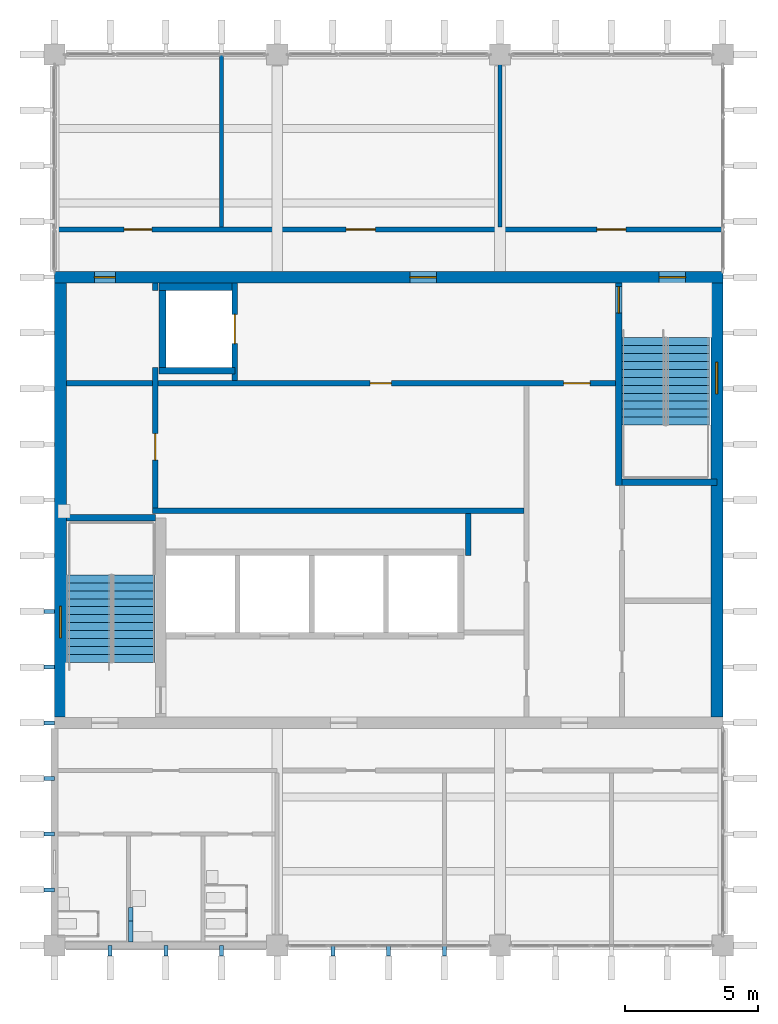
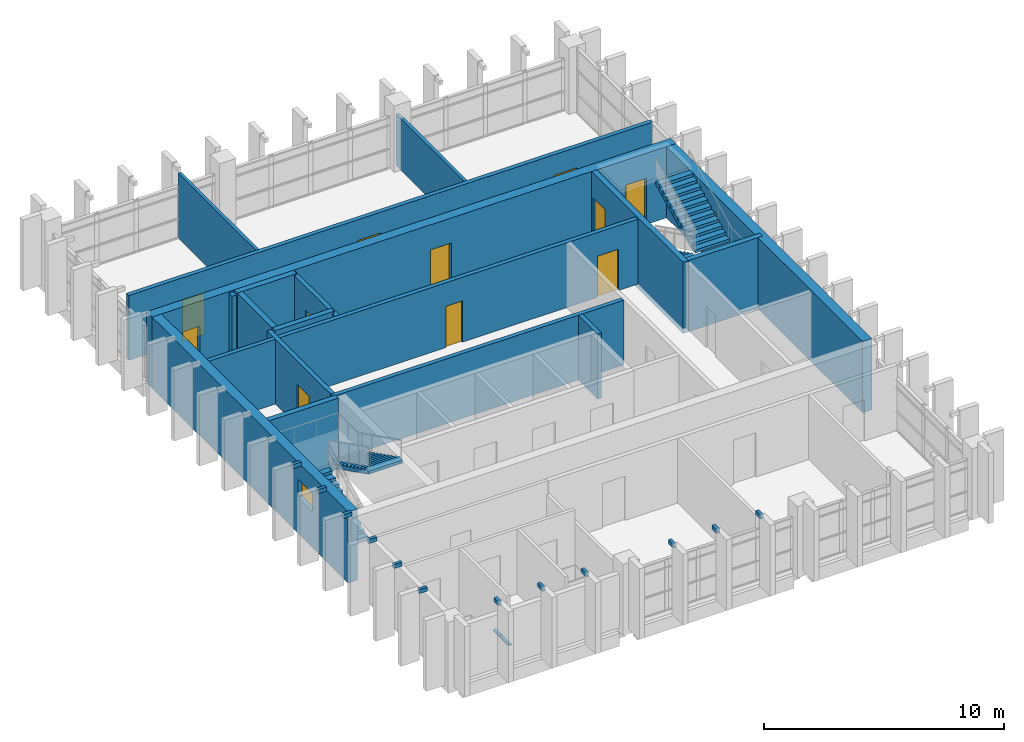
# One storey, part 8 of 11: 18 walls, 14 discrete accessories, 11 doors, 4 stair flights, 2 windows, 13 openings, 2 elements without a shape of their own.
"""IFC4 building model written with IfcOpenShell, lengths in metres."""

from ifc_helpers import new_model, si_unit, direction, frame, frame_2d, origin, origin_2d, place, context, subcontext, project, spatial, polyline, rectangle, outline, extrude, material, layer, layer_set, type_object, element, fill, aggregate, save


model = new_model("IFC4")

# Units and contexts
model_context = context("Model", 3, precision=1e-05, world=origin(), true_north=direction((0.0, 1.0)))
body_context = subcontext(model_context, "Body", "Model", "MODEL_VIEW")
ifc_project = project(units=[si_unit("LENGTHUNIT", "METRE"), si_unit("AREAUNIT", "SQUARE_METRE"), si_unit("VOLUMEUNIT", "CUBIC_METRE"), si_unit("PLANEANGLEUNIT", "RADIAN"), si_unit("MASSUNIT", "GRAM", prefix="KILO")], contexts=[model_context])

# Site, building, storey
site_placement = place(None, origin())
site = spatial("IfcSite", under=ifc_project, at=site_placement, CompositionType="ELEMENT")
building_placement = place(site_placement, origin())
building = spatial("IfcBuilding", under=site, at=building_placement, Name="Rulbaag Community and Learning Centre", CompositionType="ELEMENT")
storey_placement = place(building_placement, frame((0.0, 0.0, 36.0)))
storey = spatial("IfcBuildingStorey", under=building, at=storey_placement, Name="L09", CompositionType="ELEMENT", Elevation=36.0)

# Wall
ifc_material_1 = material(Name="Concrete blockwork", Category="masonry")
ifc_layer_1 = layer(ifc_material_1, 0.199951171875)
ifc_layer_set_1 = layer_set([ifc_layer_1], Name="FW-200 FIRE WALL 200")
wall_type_1 = type_object("IfcWallType", Name="FW-200 FIRE WALL 200", PredefinedType="SOLIDWALL", material=ifc_layer_set_1)
wall_1_placement = place(storey_placement, frame((146.5, 100.39990234375, 0.0), z_axis=(0.0, 0.0, 1.0), x_axis=(1.0, 0.0, 0.0)))
element("IfcWall", 1, at=wall_1_placement, inside=storey, type_object=wall_type_1, Name="Fire wall L09 8", PredefinedType="SOLIDWALL", context=body_context, shape_type="SweptSolid", body=[
    extrude(rectangle(XDim=14.0, YDim=0.199951171875, at=frame_2d((7.0, 0.0))), origin(), (0.0, 0.0, 1.0), 3.300048828125),
])

# Wall, openings, doors
wall_2_placement = place(storey_placement, frame((143.25, 105.199951171875, 0.0), z_axis=(0.0, 0.0, 1.0), x_axis=(1.0, 0.0, 0.0)))
wall_2 = element("IfcWall", 2, at=wall_2_placement, inside=storey, type_object=wall_type_1, Name="Fire wall L09 9", PredefinedType="SOLIDWALL", context=body_context, shape_type="SweptSolid", body=[
    extrude(rectangle(XDim=20.699951171875, YDim=0.199951171875, at=frame_2d((10.35009765625, 0.0))), origin(), (0.0, 0.0, 1.0), 3.300048828125),
])
opening_1_placement = place(wall_2_placement, frame((11.449951171875, 0.0, 0.0)))
opening_1 = element("IfcOpeningElement", 3, at=opening_1_placement, cuts=wall_2, Name="Opening L09-D020", PredefinedType="OPENING", context=body_context, shape_type="SweptSolid", body=[
    extrude(rectangle(XDim=0.800048828125, YDim=2.10009765625, at=frame_2d((0.39990234375, 1.050048828125))), frame((0.0, 0.10986328125, 0.0), z_axis=(0.0, -1.0, 0.0), x_axis=(1.0, 0.0, 0.0)), (0.0, 0.0, 1.0), 0.219970703125),
])
opening_2_placement = place(wall_2_placement, frame((18.75, 0.0, 0.0)))
opening_2 = element("IfcOpeningElement", 4, at=opening_2_placement, cuts=wall_2, Name="Opening L09-D027", PredefinedType="OPENING", context=body_context, shape_type="SweptSolid", body=[
    extrude(rectangle(XDim=1.0, YDim=2.10009765625, at=frame_2d((0.5, 1.050048828125))), frame((0.0, 0.10986328125, 0.0), z_axis=(0.0, -1.0, 0.0), x_axis=(1.0, 0.0, 0.0)), (0.0, 0.0, 1.0), 0.219970703125),
])
ifc_material_2 = material(Name="Galvanised steel", Category="steel")
door_type_1 = type_object("IfcDoorType", Name="FD-1000 FIRE DOOR 1000 x 2100", OperationType="SINGLE_SWING_LEFT", PredefinedType="DOOR", material=ifc_material_2)
door_1_placement = place(opening_2_placement, origin())
door_1 = element("IfcDoor", 5, at=door_1_placement, inside=storey, type_object=door_type_1, Name="Door L09-D027", OperationType="SINGLE_SWING_LEFT", OverallHeight=2.10009765625, OverallWidth=1.0, PredefinedType="DOOR", context=body_context, shape_type="SweptSolid", body=[
    extrude(rectangle(XDim=1.0, YDim=2.10009765625, at=frame_2d((0.5, 1.050048828125))), frame((0.0, 0.02490234375, 0.0), z_axis=(0.0, -1.0, 0.0), x_axis=(1.0, 0.0, 0.0)), (0.0, 0.0, 1.0), 0.050048828125),
])
fill(opening_2, door_1)
door_type_2 = type_object("IfcDoorType", Name="FDR-800 RISER FIRE DOOR 800 x 2100", OperationType="SINGLE_SWING_LEFT", PredefinedType="DOOR", material=ifc_material_2)
door_2_placement = place(opening_1_placement, origin())
door_2 = element("IfcDoor", 6, at=door_2_placement, inside=storey, type_object=door_type_2, Name="Riser door L09-D022", OperationType="SINGLE_SWING_RIGHT", OverallHeight=2.10009765625, OverallWidth=0.800048828125, PredefinedType="DOOR", context=body_context, shape_type="SweptSolid", body=[
    extrude(rectangle(XDim=0.800048828125, YDim=2.10009765625, at=frame_2d((0.39990234375, 1.050048828125))), frame((0.0, 0.02490234375, 0.0), z_axis=(0.0, -1.0, 0.0), x_axis=(1.0, 0.0, 0.0)), (0.0, 0.0, 1.0), 0.050048828125),
])
fill(opening_1, door_2)

wall_3_placement = place(storey_placement, frame((142.800048828125, 111.0, 0.0), z_axis=(0.0, 0.0, 1.0), x_axis=(1.0, 0.0, 0.0)))
wall_3 = element("IfcWall", 7, at=wall_3_placement, inside=storey, type_object=wall_type_1, Name="Fire wall L09 10", PredefinedType="SOLIDWALL", context=body_context, shape_type="SweptSolid", body=[
    extrude(rectangle(XDim=25.199951171875, YDim=0.199951171875, at=frame_2d((12.60009765625, 0.0))), origin(), (0.0, 0.0, 1.0), 3.300048828125),
])
opening_3_placement = place(wall_3_placement, frame((2.625, 0.0, 0.0)))
opening_3 = element("IfcOpeningElement", 8, at=opening_3_placement, cuts=wall_3, Name="Opening L09-D005", PredefinedType="OPENING", context=body_context, shape_type="SweptSolid", body=[
    extrude(rectangle(XDim=1.050048828125, YDim=2.10009765625, at=frame_2d((0.52490234375, 1.050048828125))), frame((0.0, 0.10986328125, 0.0), z_axis=(0.0, -1.0, 0.0), x_axis=(1.0, 0.0, 0.0)), (0.0, 0.0, 1.0), 0.219970703125),
])
opening_4_placement = place(wall_3_placement, frame((11.0, 0.0, 0.0)))
opening_4 = element("IfcOpeningElement", 9, at=opening_4_placement, cuts=wall_3, Name="Opening L09-D019", PredefinedType="OPENING", context=body_context, shape_type="SweptSolid", body=[
    extrude(rectangle(XDim=1.10009765625, YDim=2.25, at=frame_2d((0.550048828125, 1.125))), frame((0.0, 0.10986328125, 0.0), z_axis=(0.0, -1.0, 0.0), x_axis=(1.0, 0.0, 0.0)), (0.0, 0.0, 1.0), 0.219970703125),
])
opening_5_placement = place(wall_3_placement, frame((20.449951171875, 0.0, 0.0)))
opening_5 = element("IfcOpeningElement", 10, at=opening_5_placement, cuts=wall_3, Name="Opening L09-D028", PredefinedType="OPENING", context=body_context, shape_type="SweptSolid", body=[
    extrude(rectangle(XDim=1.10009765625, YDim=2.25, at=frame_2d((0.550048828125, 1.125))), frame((0.0, 0.10986328125, 0.0), z_axis=(0.0, -1.0, 0.0), x_axis=(1.0, 0.0, 0.0)), (0.0, 0.0, 1.0), 0.219970703125),
])
ifc_material_3 = material(Name="Timber", Category="wood")
door_type_3 = type_object("IfcDoorType", Name="D-1100 OFFICE SUITE ENTRANCE DOOR 1100 x 2250", OperationType="SINGLE_SWING_LEFT", PredefinedType="DOOR", material=ifc_material_3)
door_3_placement = place(opening_4_placement, origin())
door_3 = element("IfcDoor", 11, at=door_3_placement, inside=storey, type_object=door_type_3, Name="Door L09-D019", OperationType="SINGLE_SWING_RIGHT", OverallHeight=2.25, OverallWidth=1.10009765625, PredefinedType="DOOR", context=body_context, shape_type="SweptSolid", body=[
    extrude(rectangle(XDim=1.10009765625, YDim=2.25, at=frame_2d((0.550048828125, 1.125))), frame((0.0, 0.02490234375, 0.0), z_axis=(0.0, -1.0, 0.0), x_axis=(1.0, 0.0, 0.0)), (0.0, 0.0, 1.0), 0.050048828125),
])
fill(opening_4, door_3)
door_4_placement = place(opening_5_placement, origin())
door_4 = element("IfcDoor", 12, at=door_4_placement, inside=storey, type_object=door_type_3, Name="Door L09-D028", OperationType="SINGLE_SWING_LEFT", OverallHeight=2.25, OverallWidth=1.10009765625, PredefinedType="DOOR", context=body_context, shape_type="SweptSolid", body=[
    extrude(rectangle(XDim=1.10009765625, YDim=2.25, at=frame_2d((0.550048828125, 1.125))), frame((0.0, 0.02490234375, 0.0), z_axis=(0.0, -1.0, 0.0), x_axis=(1.0, 0.0, 0.0)), (0.0, 0.0, 1.0), 0.050048828125),
])
fill(opening_5, door_4)
door_type_4 = type_object("IfcDoorType", Name="FD-1050 GLAZED MEETING ROOM FIRE DOOR 1050 x 2100", OperationType="SINGLE_SWING_LEFT", PredefinedType="DOOR", material=ifc_material_3)
door_5_placement = place(opening_3_placement, origin())
door_5 = element("IfcDoor", 13, at=door_5_placement, inside=storey, type_object=door_type_4, Name="Door L09-D005", OperationType="SINGLE_SWING_RIGHT", OverallHeight=2.10009765625, OverallWidth=1.050048828125, PredefinedType="DOOR", context=body_context, shape_type="SweptSolid", body=[
    extrude(rectangle(XDim=1.050048828125, YDim=2.10009765625, at=frame_2d((0.52490234375, 1.050048828125))), frame((0.0, 0.02490234375, 0.0), z_axis=(0.0, -1.0, 0.0), x_axis=(1.0, 0.0, 0.0)), (0.0, 0.0, 1.0), 0.050048828125),
])
fill(opening_3, door_5)

# Wall, opening, door
wall_4_placement = place(storey_placement, frame((146.60009765625, 100.5, 0.0), z_axis=(0.0, 0.0, 1.0), x_axis=(0.0, 1.0, 0.0)))
wall_4 = element("IfcWall", 14, at=wall_4_placement, inside=storey, type_object=wall_type_1, Name="Fire wall L09 12", PredefinedType="SOLIDWALL", context=body_context, shape_type="SweptSolid", body=[
    extrude(rectangle(XDim=5.300048828125, YDim=0.199951171875, at=frame_2d((2.64990234375, 0.0))), origin(), (0.0, 0.0, 1.0), 3.300048828125),
])
opening_6_placement = place(wall_4_placement, frame((1.800048828125, 0.0, 0.0)))
opening_6 = element("IfcOpeningElement", 15, at=opening_6_placement, cuts=wall_4, Name="Opening L09-D006", PredefinedType="OPENING", context=body_context, shape_type="SweptSolid", body=[
    extrude(rectangle(XDim=1.0, YDim=2.10009765625, at=frame_2d((0.5, 1.050048828125))), frame((0.0, 0.10986328125, 0.0), z_axis=(0.0, -1.0, 0.0), x_axis=(1.0, 0.0, 0.0)), (0.0, 0.0, 1.0), 0.219970703125),
])
door_6_placement = place(opening_6_placement, origin())
door_6 = element("IfcDoor", 16, at=door_6_placement, inside=storey, type_object=door_type_1, Name="Door L09-D006", OperationType="SINGLE_SWING_LEFT", OverallHeight=2.10009765625, OverallWidth=1.0, PredefinedType="DOOR", context=body_context, shape_type="SweptSolid", body=[
    extrude(rectangle(XDim=1.0, YDim=2.10009765625, at=frame_2d((0.5, 1.050048828125))), frame((0.0, 0.02490234375, 0.0), z_axis=(0.0, -1.0, 0.0), x_axis=(1.0, 0.0, 0.0)), (0.0, 0.0, 1.0), 0.050048828125),
])
fill(opening_6, door_6)

# Wall
wall_5_placement = place(storey_placement, frame((146.60009765625, 108.699951171875, 0.0), z_axis=(0.0, 0.0, 1.0), x_axis=(0.0, 1.0, 0.0)))
element("IfcWall", 17, at=wall_5_placement, inside=storey, type_object=wall_type_1, Name="Fire wall L09 13", PredefinedType="SOLIDWALL", context=body_context, shape_type="SweptSolid", body=[
    extrude(rectangle(XDim=0.275146484375, YDim=0.199951171875, at=frame_2d((0.1376953125, 0.0))), origin(), (0.0, 0.0, 1.0), 3.300048828125),
])

# Wall, opening, door
wall_6_placement = place(storey_placement, frame((149.60009765625, 105.300048828125, 0.0), z_axis=(0.0, 0.0, 1.0), x_axis=(0.0, 1.0, 0.0)))
wall_6 = element("IfcWall", 18, at=wall_6_placement, inside=storey, type_object=wall_type_1, Name="Fire wall L09 16", PredefinedType="SOLIDWALL", context=body_context, shape_type="SweptSolid", body=[
    extrude(rectangle(XDim=3.675048828125, YDim=0.199951171875, at=frame_2d((1.83740234375, 0.0))), origin(), (0.0, 0.0, 1.0), 3.300048828125),
])
opening_7_placement = place(wall_6_placement, frame((1.39990234375, 0.0, 0.0)))
opening_7 = element("IfcOpeningElement", 19, at=opening_7_placement, cuts=wall_6, Name="Opening L09-D011", PredefinedType="OPENING", context=body_context, shape_type="SweptSolid", body=[
    extrude(rectangle(XDim=1.10009765625, YDim=2.10009765625, at=frame_2d((0.550048828125, 1.050048828125))), frame((0.0, 0.10986328125, 0.0), z_axis=(0.0, -1.0, 0.0), x_axis=(1.0, 0.0, 0.0)), (0.0, 0.0, 1.0), 0.219970703125),
])
ifc_material_4 = material(Name="Stainless steel grade 304", Category="steel")
door_type_5 = type_object("IfcDoorType", Name="LD-1100 LIFT LANDING DOOR 1100 x 2100", OperationType="SLIDING_TO_LEFT", PredefinedType="DOOR", material=ifc_material_4)
door_7_placement = place(opening_7_placement, origin())
door_7 = element("IfcDoor", 20, at=door_7_placement, inside=storey, type_object=door_type_5, Name="Lift landing door LF1 L09", OperationType="SLIDING_TO_LEFT", OverallHeight=2.10009765625, OverallWidth=1.10009765625, PredefinedType="DOOR", context=body_context, shape_type="SweptSolid", body=[
    extrude(rectangle(XDim=1.10009765625, YDim=2.10009765625, at=frame_2d((0.550048828125, 1.050048828125))), frame((0.0, 0.02490234375, 0.0), z_axis=(0.0, -1.0, 0.0), x_axis=(1.0, 0.0, 0.0)), (0.0, 0.0, 1.0), 0.050048828125),
])
fill(opening_7, door_7)

# Walls
wall_7_placement = place(storey_placement, frame((158.39990234375, 98.699951171875, 0.0), z_axis=(0.0, 0.0, 1.0), x_axis=(0.0, 1.0, 0.0)))
element("IfcWall", 21, at=wall_7_placement, inside=storey, type_object=wall_type_1, Name="Fire wall L09 19", PredefinedType="SOLIDWALL", context=body_context, shape_type="SweptSolid", body=[
    extrude(rectangle(XDim=1.60009765625, YDim=0.199951171875, at=frame_2d((0.800048828125, 0.0))), origin(), (0.0, 0.0, 1.0), 3.300048828125),
])
ifc_layer_2 = layer(ifc_material_1, 0.14990234375)
ifc_layer_set_2 = layer_set([ifc_layer_2], Name="IP-150 PARTITION 150")
wall_type_2 = type_object("IfcWallType", Name="IP-150 PARTITION 150", PredefinedType="PARTITIONING", material=ifc_layer_set_2)
wall_8_placement = place(storey_placement, frame((149.10009765625, 111.10009765625, 0.0), z_axis=(0.0, 0.0, 1.0), x_axis=(0.0, 1.0, 0.0)))
element("IfcWall", 22, at=wall_8_placement, inside=storey, type_object=wall_type_2, Name="Partition L09 15", PredefinedType="PARTITIONING", context=body_context, shape_type="SweptSolid", body=[
    extrude(rectangle(XDim=6.5, YDim=0.14990234375, at=frame_2d((3.25, 0.0))), origin(), (0.0, 0.0, 1.0), 3.300048828125),
])
wall_9_placement = place(storey_placement, frame((159.60009765625, 111.10009765625, 0.0), z_axis=(0.0, 0.0, 1.0), x_axis=(0.0, 1.0, 0.0)))
element("IfcWall", 23, at=wall_9_placement, inside=storey, type_object=wall_type_2, Name="Partition L09 20", PredefinedType="PARTITIONING", context=body_context, shape_type="SweptSolid", body=[
    extrude(rectangle(XDim=6.5, YDim=0.14990234375, at=frame_2d((3.25, 0.0))), origin(), (0.0, 0.0, 1.0), 2.625),
])

# Wall, openings, doors
ifc_material_5 = material(Name="Concrete M60", Category="concrete")
ifc_layer_3 = layer(ifc_material_5, 0.449951171875)
ifc_layer_set_3 = layer_set([ifc_layer_3], Name="W1 Core wall 450 Concrete M60")
wall_type_3 = type_object("IfcWallType", Name="W1 Core wall 450 Concrete M60", PredefinedType="SHEAR", material=ifc_layer_set_3)
wall_10_placement = place(storey_placement, frame((142.800048828125, 109.199951171875, -0.25), z_axis=(0.0, 0.0, 1.0), x_axis=(1.0, 0.0, 0.0)))
wall_10 = element("IfcWall", 24, at=wall_10_placement, inside=storey, type_object=wall_type_3, Name="WL-CORE-N-L09", PredefinedType="SHEAR", context=body_context, shape_type="SweptSolid", body=[
    extrude(rectangle(XDim=25.199951171875, YDim=0.449951171875, at=frame_2d((12.60009765625, 0.0))), origin(), (0.0, 0.0, 1.0), 3.625),
])
opening_8_placement = place(wall_10_placement, frame((22.800048828125, 0.0, 0.25)))
opening_8 = element("IfcOpeningElement", 25, at=opening_8_placement, cuts=wall_10, Name="Opening L09-D033", PredefinedType="OPENING", context=body_context, shape_type="SweptSolid", body=[
    extrude(rectangle(XDim=1.0, YDim=2.10009765625, at=frame_2d((0.5, 1.050048828125))), frame((0.0, 0.23486328125, 0.0), z_axis=(0.0, -1.0, 0.0), x_axis=(1.0, 0.0, 0.0)), (0.0, 0.0, 1.0), 0.469970703125),
])
opening_9_placement = place(wall_10_placement, frame((1.5, 0.0, 0.25)))
opening_9 = element("IfcOpeningElement", 26, at=opening_9_placement, cuts=wall_10, Name="Opening L09-D004", PredefinedType="OPENING", context=body_context, shape_type="SweptSolid", body=[
    extrude(rectangle(XDim=0.800048828125, YDim=2.10009765625, at=frame_2d((0.39990234375, 1.050048828125))), frame((0.0, 0.23486328125, 0.0), z_axis=(0.0, -1.0, 0.0), x_axis=(1.0, 0.0, 0.0)), (0.0, 0.0, 1.0), 0.469970703125),
])
opening_10_placement = place(wall_10_placement, frame((13.39990234375, 0.0, 0.25)))
opening_10 = element("IfcOpeningElement", 27, at=opening_10_placement, cuts=wall_10, Name="Opening L09-D022", PredefinedType="OPENING", context=body_context, shape_type="SweptSolid", body=[
    extrude(rectangle(XDim=1.0, YDim=2.10009765625, at=frame_2d((0.5, 1.050048828125))), frame((0.0, 0.23486328125, 0.0), z_axis=(0.0, -1.0, 0.0), x_axis=(1.0, 0.0, 0.0)), (0.0, 0.0, 1.0), 0.469970703125),
])
door_8_placement = place(opening_8_placement, origin())
door_8 = element("IfcDoor", 28, at=door_8_placement, inside=storey, type_object=door_type_1, Name="Door L09-D033", OperationType="SINGLE_SWING_LEFT", OverallHeight=2.10009765625, OverallWidth=1.0, PredefinedType="DOOR", context=body_context, shape_type="SweptSolid", body=[
    extrude(rectangle(XDim=1.0, YDim=2.10009765625, at=frame_2d((0.5, 1.050048828125))), frame((0.0, 0.02490234375, 0.0), z_axis=(0.0, -1.0, 0.0), x_axis=(1.0, 0.0, 0.0)), (0.0, 0.0, 1.0), 0.050048828125),
])
fill(opening_8, door_8)
door_9_placement = place(opening_10_placement, origin())
door_9 = element("IfcDoor", 29, at=door_9_placement, inside=storey, type_object=door_type_1, Name="Door L09-D022", OperationType="SINGLE_SWING_LEFT", OverallHeight=2.10009765625, OverallWidth=1.0, PredefinedType="DOOR", context=body_context, shape_type="SweptSolid", body=[
    extrude(rectangle(XDim=1.0, YDim=2.10009765625, at=frame_2d((0.5, 1.050048828125))), frame((0.0, 0.02490234375, 0.0), z_axis=(0.0, -1.0, 0.0), x_axis=(1.0, 0.0, 0.0)), (0.0, 0.0, 1.0), 0.050048828125),
])
fill(opening_10, door_9)
door_10_placement = place(opening_9_placement, origin())
door_10 = element("IfcDoor", 30, at=door_10_placement, inside=storey, type_object=door_type_2, Name="Riser door L09-D024", OperationType="SINGLE_SWING_LEFT", OverallHeight=2.10009765625, OverallWidth=0.800048828125, PredefinedType="DOOR", context=body_context, shape_type="SweptSolid", body=[
    extrude(rectangle(XDim=0.800048828125, YDim=2.10009765625, at=frame_2d((0.39990234375, 1.050048828125))), frame((0.0, 0.02490234375, 0.0), z_axis=(0.0, -1.0, 0.0), x_axis=(1.0, 0.0, 0.0)), (0.0, 0.0, 1.0), 0.050048828125),
])
fill(opening_9, door_10)

# Wall, opening, window
wall_11_placement = place(storey_placement, frame((143.02490234375, 92.625, -0.25), z_axis=(0.0, 0.0, 1.0), x_axis=(0.0, 1.0, 0.0)))
wall_11 = element("IfcWall", 31, at=wall_11_placement, inside=storey, type_object=wall_type_3, Name="WL-CORE-W-L09", PredefinedType="SHEAR", context=body_context, shape_type="SweptSolid", body=[
    extrude(rectangle(XDim=16.35009765625, YDim=0.449951171875, at=frame_2d((8.175048828125, 0.0))), origin(), (0.0, 0.0, 1.0), 3.625),
])
opening_11_placement = place(wall_11_placement, frame((2.97509765625, 0.0, 1.85009765625)))
opening_11 = element("IfcOpeningElement", 32, at=opening_11_placement, cuts=wall_11, Name="Opening WN19", PredefinedType="OPENING", context=body_context, shape_type="SweptSolid", body=[
    extrude(rectangle(XDim=1.199951171875, YDim=0.89990234375, at=frame_2d((0.60009765625, 0.449951171875))), frame((0.0, 0.23486328125, 0.0), z_axis=(0.0, -1.0, 0.0), x_axis=(1.0, 0.0, 0.0)), (0.0, 0.0, 1.0), 0.469970703125),
])
ifc_material_6 = material(Name="Aluminium", Category="aluminium")
window_type = type_object("IfcWindowType", Name="WS-12", PartitioningType="SINGLE_PANEL", PredefinedType="WINDOW", material=ifc_material_6)
window_1_placement = place(opening_11_placement, origin())
window_1 = element("IfcWindow", 33, at=window_1_placement, inside=storey, type_object=window_type, Name="Stair window", OverallHeight=0.89990234375, OverallWidth=1.199951171875, PartitioningType="SINGLE_PANEL", PredefinedType="WINDOW", context=body_context, shape_type="SweptSolid", body=[
    extrude(rectangle(XDim=1.199951171875, YDim=0.89990234375, at=frame_2d((0.60009765625, 0.449951171875))), frame((0.0, 0.030029296875, 0.0), z_axis=(0.0, -1.0, 0.0), x_axis=(1.0, 0.0, 0.0)), (0.0, 0.0, 1.0), 0.06005859375),
])
fill(opening_11, window_1)

wall_12_placement = place(storey_placement, frame((167.77490234375, 92.625, -0.25), z_axis=(0.0, 0.0, 1.0), x_axis=(0.0, 1.0, 0.0)))
wall_12 = element("IfcWall", 34, at=wall_12_placement, inside=storey, type_object=wall_type_3, Name="WL-CORE-E-L09", PredefinedType="SHEAR", context=body_context, shape_type="SweptSolid", body=[
    extrude(rectangle(XDim=16.35009765625, YDim=0.449951171875, at=frame_2d((8.175048828125, 0.0))), origin(), (0.0, 0.0, 1.0), 3.625),
])
opening_12_placement = place(wall_12_placement, frame((12.175048828125, 0.0, 1.85009765625)))
opening_12 = element("IfcOpeningElement", 35, at=opening_12_placement, cuts=wall_12, Name="Opening WN19", PredefinedType="OPENING", context=body_context, shape_type="SweptSolid", body=[
    extrude(rectangle(XDim=1.199951171875, YDim=0.89990234375, at=frame_2d((0.60009765625, 0.449951171875))), frame((0.0, 0.23486328125, 0.0), z_axis=(0.0, -1.0, 0.0), x_axis=(1.0, 0.0, 0.0)), (0.0, 0.0, 1.0), 0.469970703125),
])
window_2_placement = place(opening_12_placement, origin())
window_2 = element("IfcWindow", 36, at=window_2_placement, inside=storey, type_object=window_type, Name="Stair window", OverallHeight=0.89990234375, OverallWidth=1.199951171875, PartitioningType="SINGLE_PANEL", PredefinedType="WINDOW", context=body_context, shape_type="SweptSolid", body=[
    extrude(rectangle(XDim=1.199951171875, YDim=0.89990234375, at=frame_2d((0.60009765625, 0.449951171875))), frame((0.0, 0.030029296875, 0.0), z_axis=(0.0, -1.0, 0.0), x_axis=(1.0, 0.0, 0.0)), (0.0, 0.0, 1.0), 0.06005859375),
])
fill(opening_12, window_2)

# Walls
ifc_material_7 = material(Name="Concrete M40", Category="concrete")
ifc_layer_4 = layer(ifc_material_7, 0.27490234375)
ifc_layer_set_4 = layer_set([ifc_layer_4], Name="W16 Shaft wall 275 Concrete M40")
wall_type_4 = type_object("IfcWallType", Name="W16 Shaft wall 275 Concrete M40", PredefinedType="SHEAR", material=ifc_layer_set_4)
wall_13_placement = place(storey_placement, frame((146.75, 108.83740234375, -0.25), z_axis=(0.0, 0.0, 1.0), x_axis=(1.0, 0.0, 0.0)))
element("IfcWall", 37, at=wall_13_placement, inside=storey, type_object=wall_type_4, Name="WL-LF-N-L09", PredefinedType="SHEAR", context=body_context, shape_type="SweptSolid", body=[
    extrude(rectangle(XDim=2.85009765625, YDim=0.27490234375, at=frame_2d((1.425048828125, 0.0))), origin(), (0.0, 0.0, 1.0), 3.625),
])
ifc_layer_5 = layer(ifc_material_7, 0.25)
ifc_layer_set_5 = layer_set([ifc_layer_5], Name="W5 Shaft wall 250 Concrete M40")
wall_type_5 = type_object("IfcWallType", Name="W5 Shaft wall 250 Concrete M40", PredefinedType="SHEAR", material=ifc_layer_set_5)
wall_14_placement = place(storey_placement, frame((143.25, 100.125, -0.25), z_axis=(0.0, 0.0, 1.0), x_axis=(1.0, 0.0, 0.0)))
element("IfcWall", 38, at=wall_14_placement, inside=storey, type_object=wall_type_5, Name="WL-ST1-N-L09", PredefinedType="SHEAR", context=body_context, shape_type="SweptSolid", body=[
    extrude(rectangle(XDim=3.35009765625, YDim=0.25, at=frame_2d((1.675048828125, 0.0))), origin(), (0.0, 0.0, 1.0), 3.625),
])

# Wall, opening, door
wall_15_placement = place(storey_placement, frame((164.074951171875, 101.35009765625, -0.25), z_axis=(0.0, 0.0, 1.0), x_axis=(0.0, 1.0, 0.0)))
wall_15 = element("IfcWall", 39, at=wall_15_placement, inside=storey, type_object=wall_type_5, Name="WL-ST2-W-L09", PredefinedType="SHEAR", context=body_context, shape_type="SweptSolid", body=[
    extrude(rectangle(XDim=7.625, YDim=0.25, at=frame_2d((3.8125, 0.0))), origin(), (0.0, 0.0, 1.0), 3.625),
])
opening_13_placement = place(wall_15_placement, frame((6.5, 0.0, 0.25)))
opening_13 = element("IfcOpeningElement", 40, at=opening_13_placement, cuts=wall_15, Name="Opening L09-D029", PredefinedType="OPENING", context=body_context, shape_type="SweptSolid", body=[
    extrude(rectangle(XDim=1.0, YDim=2.10009765625, at=frame_2d((0.5, 1.050048828125))), frame((0.0, 0.135009765625, 0.0), z_axis=(0.0, -1.0, 0.0), x_axis=(1.0, 0.0, 0.0)), (0.0, 0.0, 1.0), 0.27001953125),
])
door_11_placement = place(opening_13_placement, origin())
door_11 = element("IfcDoor", 41, at=door_11_placement, inside=storey, type_object=door_type_1, Name="Door L09-D029", OperationType="SINGLE_SWING_LEFT", OverallHeight=2.10009765625, OverallWidth=1.0, PredefinedType="DOOR", context=body_context, shape_type="SweptSolid", body=[
    extrude(rectangle(XDim=1.0, YDim=2.10009765625, at=frame_2d((0.5, 1.050048828125))), frame((0.0, 0.02490234375, 0.0), z_axis=(0.0, -1.0, 0.0), x_axis=(1.0, 0.0, 0.0)), (0.0, 0.0, 1.0), 0.050048828125),
])
fill(opening_13, door_11)

# Walls
wall_16_placement = place(storey_placement, frame((164.199951171875, 101.47509765625, -0.25), z_axis=(0.0, 0.0, 1.0), x_axis=(1.0, 0.0, 0.0)))
element("IfcWall", 42, at=wall_16_placement, inside=storey, type_object=wall_type_5, Name="WL-ST2-S-L09", PredefinedType="SHEAR", context=body_context, shape_type="SweptSolid", body=[
    extrude(rectangle(XDim=3.574951171875, YDim=0.25, at=frame_2d((1.78759765625, 0.0))), origin(), (0.0, 0.0, 1.0), 3.625),
])
wall_17_placement = place(storey_placement, frame((146.75, 105.675048828125, -0.25), z_axis=(0.0, 0.0, 1.0), x_axis=(1.0, 0.0, 0.0)))
element("IfcWall", 43, at=wall_17_placement, inside=storey, type_object=wall_type_5, Name="WL-LF-S-L09", PredefinedType="SHEAR", context=body_context, shape_type="SweptSolid", body=[
    extrude(rectangle(XDim=2.85009765625, YDim=0.25, at=frame_2d((1.425048828125, 0.0))), origin(), (0.0, 0.0, 1.0), 3.625),
])
wall_18_placement = place(storey_placement, frame((146.875, 105.800048828125, -0.25), z_axis=(0.0, 0.0, 1.0), x_axis=(0.0, 1.0, 0.0)))
element("IfcWall", 44, at=wall_18_placement, inside=storey, type_object=wall_type_5, Name="WL-LF-W-L09", PredefinedType="SHEAR", context=body_context, shape_type="SweptSolid", body=[
    extrude(rectangle(XDim=2.89990234375, YDim=0.25, at=frame_2d((1.449951171875, 0.0))), origin(), (0.0, 0.0, 1.0), 3.625),
])

# Stair, stair flights
stair_type = type_object("IfcStairType", Name="ST-1650 STAIR 1650 WIDE", PredefinedType="HALF_TURN_STAIR", material=ifc_material_7)
stair_1_placement = place(storey_placement, origin())
stair_1 = element("IfcStair", 45, at=stair_1_placement, inside=storey, type_object=stair_type, Name="Stair ST1 L09", PredefinedType="HALF_TURN_STAIR")
stair_flight_type = type_object("IfcStairFlightType", Name="FL-1650 FLIGHT 1650 WIDE Concrete M40", PredefinedType="STRAIGHT", material=ifc_material_7)
stair_flight_1_placement = place(storey_placement, frame((144.125, 94.675048828125, 0.0), z_axis=(0.0, 0.0, 1.0), x_axis=(0.0, 1.0, 0.0)))
stair_flight_1 = element("IfcStairFlight", 46, at=stair_flight_1_placement, type_object=stair_flight_type, Name="ST1 flight 1", NumberOfRisers=12, NumberOfTreads=11, PredefinedType="STRAIGHT", RiserHeight=0.15, TreadLength=0.3, context=body_context, shape_type="SweptSolid", body=[
    extrude(outline(polyline([(0.0, 0.0), (0.0, 0.14990234375), (0.300048828125, 0.14990234375), (0.300048828125, 0.300048828125), (0.60009765625, 0.300048828125), (0.60009765625, 0.449951171875), (0.89990234375, 0.449951171875), (0.89990234375, 0.60009765625), (1.199951171875, 0.60009765625), (1.199951171875, 0.75), (1.5, 0.75), (1.5, 0.89990234375), (1.800048828125, 0.89990234375), (1.800048828125, 1.050048828125), (2.10009765625, 1.050048828125), (2.10009765625, 1.199951171875), (2.39990234375, 1.199951171875), (2.39990234375, 1.35009765625), (2.699951171875, 1.35009765625), (2.699951171875, 1.5), (3.0, 1.5), (3.0, 1.64990234375), (3.300048828125, 1.64990234375), (3.300048828125, 1.49365234375), (0.312744140625, 0.0), (0.0, 0.0)])), frame((0.0, 0.824951171875, 0.0), z_axis=(0.0, -1.0, 0.0), x_axis=(1.0, 0.0, 0.0)), (0.0, 0.0, 1.0), 1.64990234375),
])
stair_flight_2_placement = place(storey_placement, frame((145.77490234375, 97.97509765625, 1.800048828125), z_axis=(0.0, 0.0, 1.0), x_axis=(0.0, -1.0, 0.0)))
stair_flight_2 = element("IfcStairFlight", 47, at=stair_flight_2_placement, type_object=stair_flight_type, Name="ST1 flight 2", NumberOfRisers=12, NumberOfTreads=11, PredefinedType="STRAIGHT", RiserHeight=0.15, TreadLength=0.3, context=body_context, shape_type="SweptSolid", body=[
    extrude(outline(polyline([(0.0, 0.0), (0.0, 0.14990234375), (0.300048828125, 0.14990234375), (0.300048828125, 0.300048828125), (0.60009765625, 0.300048828125), (0.60009765625, 0.449951171875), (0.89990234375, 0.449951171875), (0.89990234375, 0.60009765625), (1.199951171875, 0.60009765625), (1.199951171875, 0.75), (1.5, 0.75), (1.5, 0.89990234375), (1.800048828125, 0.89990234375), (1.800048828125, 1.050048828125), (2.10009765625, 1.050048828125), (2.10009765625, 1.199951171875), (2.39990234375, 1.199951171875), (2.39990234375, 1.35009765625), (2.699951171875, 1.35009765625), (2.699951171875, 1.5), (3.0, 1.5), (3.0, 1.64990234375), (3.300048828125, 1.64990234375), (3.300048828125, 1.49365234375), (0.312744140625, 0.0), (0.0, 0.0)])), frame((0.0, 0.824951171875, 0.0), z_axis=(0.0, -1.0, 0.0), x_axis=(1.0, 0.0, 0.0)), (0.0, 0.0, 1.0), 1.64990234375),
])
aggregate(stair_1, [stair_flight_1, stair_flight_2])

stair_2_placement = place(storey_placement, origin())
stair_2 = element("IfcStair", 48, at=stair_2_placement, inside=storey, type_object=stair_type, Name="Stair ST2 L09", PredefinedType="HALF_TURN_STAIR")
stair_flight_3_placement = place(storey_placement, frame((165.02490234375, 106.925048828125, 0.0), z_axis=(0.0, 0.0, 1.0), x_axis=(0.0, -1.0, 0.0)))
stair_flight_3 = element("IfcStairFlight", 49, at=stair_flight_3_placement, type_object=stair_flight_type, Name="ST2 flight 1", NumberOfRisers=12, NumberOfTreads=11, PredefinedType="STRAIGHT", RiserHeight=0.15, TreadLength=0.3, context=body_context, shape_type="SweptSolid", body=[
    extrude(outline(polyline([(0.0, 0.0), (0.0, 0.14990234375), (0.300048828125, 0.14990234375), (0.300048828125, 0.300048828125), (0.60009765625, 0.300048828125), (0.60009765625, 0.449951171875), (0.89990234375, 0.449951171875), (0.89990234375, 0.60009765625), (1.199951171875, 0.60009765625), (1.199951171875, 0.75), (1.5, 0.75), (1.5, 0.89990234375), (1.800048828125, 0.89990234375), (1.800048828125, 1.050048828125), (2.10009765625, 1.050048828125), (2.10009765625, 1.199951171875), (2.39990234375, 1.199951171875), (2.39990234375, 1.35009765625), (2.699951171875, 1.35009765625), (2.699951171875, 1.5), (3.0, 1.5), (3.0, 1.64990234375), (3.300048828125, 1.64990234375), (3.300048828125, 1.49365234375), (0.312744140625, 0.0), (0.0, 0.0)])), frame((0.0, 0.824951171875, 0.0), z_axis=(0.0, -1.0, 0.0), x_axis=(1.0, 0.0, 0.0)), (0.0, 0.0, 1.0), 1.64990234375),
])
stair_flight_4_placement = place(storey_placement, frame((166.675048828125, 103.625, 1.800048828125), z_axis=(0.0, 0.0, 1.0), x_axis=(0.0, 1.0, 0.0)))
stair_flight_4 = element("IfcStairFlight", 50, at=stair_flight_4_placement, type_object=stair_flight_type, Name="ST2 flight 2", NumberOfRisers=12, NumberOfTreads=11, PredefinedType="STRAIGHT", RiserHeight=0.15, TreadLength=0.3, context=body_context, shape_type="SweptSolid", body=[
    extrude(outline(polyline([(0.0, 0.0), (0.0, 0.14990234375), (0.300048828125, 0.14990234375), (0.300048828125, 0.300048828125), (0.60009765625, 0.300048828125), (0.60009765625, 0.449951171875), (0.89990234375, 0.449951171875), (0.89990234375, 0.60009765625), (1.199951171875, 0.60009765625), (1.199951171875, 0.75), (1.5, 0.75), (1.5, 0.89990234375), (1.800048828125, 0.89990234375), (1.800048828125, 1.050048828125), (2.10009765625, 1.050048828125), (2.10009765625, 1.199951171875), (2.39990234375, 1.199951171875), (2.39990234375, 1.35009765625), (2.699951171875, 1.35009765625), (2.699951171875, 1.5), (3.0, 1.5), (3.0, 1.64990234375), (3.300048828125, 1.64990234375), (3.300048828125, 1.49365234375), (0.312744140625, 0.0), (0.0, 0.0)])), frame((0.0, 0.824951171875, 0.0), z_axis=(0.0, -1.0, 0.0), x_axis=(1.0, 0.0, 0.0)), (0.0, 0.0, 1.0), 1.64990234375),
])
aggregate(stair_2, [stair_flight_3, stair_flight_4])

# Discrete accessories
ifc_material_8 = material(Name="Steel E350", Category="steel")
discrete_accessory_type_1 = type_object("IfcDiscreteAccessoryType", Name="BR-FN", PredefinedType="BRACKET", material=ifc_material_8)
for number, where, z_axis, x_axis, name in (
    (51, (144.89990234375, 83.800048828125, 3.35009765625), (0.0, 0.0, 1.0), (1.0, 0.0, 0.0), "Fin arm"),
    (52, (147.0, 83.800048828125, 3.35009765625), (0.0, 0.0, 1.0), (1.0, 0.0, 0.0), "Fin arm"),
    (53, (149.10009765625, 83.800048828125, 3.35009765625), (0.0, 0.0, 1.0), (1.0, 0.0, 0.0), "Fin arm"),
    (54, (153.300048828125, 83.800048828125, 3.35009765625), (0.0, 0.0, 1.0), (1.0, 0.0, 0.0), "Fin arm"),
    (55, (155.39990234375, 83.800048828125, 3.35009765625), (0.0, 0.0, 1.0), (1.0, 0.0, 0.0), "Fin arm"),
    (56, (157.5, 83.800048828125, 3.35009765625), (0.0, 0.0, 1.0), (1.0, 0.0, 0.0), "Fin arm"),
):
    element("IfcDiscreteAccessory", number, at=place(storey_placement, frame(where, z_axis=z_axis, x_axis=x_axis)), inside=storey, type_object=discrete_accessory_type_1, Name=name, PredefinedType="BRACKET", context=body_context, shape_type="SweptSolid", body=[
        extrude(rectangle(XDim=0.14990234375, YDim=0.39990234375, at=origin_2d()), origin(), (0.0, 0.0, 1.0), 0.199951171875),
    ])
for number, where, z_axis, x_axis, name in (
    (57, (142.60009765625, 86.10009765625, 3.35009765625), (0.0, 0.0, 1.0), (1.0, 0.0, 0.0), "Fin arm"),
    (58, (142.60009765625, 88.199951171875, 3.35009765625), (0.0, 0.0, 1.0), (1.0, 0.0, 0.0), "Fin arm"),
    (59, (142.60009765625, 90.300048828125, 3.35009765625), (0.0, 0.0, 1.0), (1.0, 0.0, 0.0), "Fin arm"),
    (60, (142.60009765625, 92.39990234375, 3.35009765625), (0.0, 0.0, 1.0), (1.0, 0.0, 0.0), "Fin arm"),
    (61, (142.60009765625, 94.5, 3.35009765625), (0.0, 0.0, 1.0), (1.0, 0.0, 0.0), "Fin arm"),
    (62, (142.60009765625, 96.60009765625, 3.35009765625), (0.0, 0.0, 1.0), (1.0, 0.0, 0.0), "Fin arm"),
):
    element("IfcDiscreteAccessory", number, at=place(storey_placement, frame(where, z_axis=z_axis, x_axis=x_axis)), inside=storey, type_object=discrete_accessory_type_1, Name=name, PredefinedType="BRACKET", context=body_context, shape_type="SweptSolid", body=[
        extrude(rectangle(XDim=0.39990234375, YDim=0.14990234375, at=origin_2d()), origin(), (0.0, 0.0, 1.0), 0.199951171875),
    ])
ifc_material_9 = material(Name="Stainless steel grade 316", Category="steel")
discrete_accessory_type_2 = type_object("IfcDiscreteAccessoryType", Name="GR-800", PredefinedType="USERDEFINED", material=ifc_material_9)
for number, where, z_axis, x_axis, name in (
    (63, (145.68505859375, 84.530029296875, 0.72998046875), (0.0, 0.0, 1.0), (1.0, 0.0, 0.0), "Grab rail"),
    (64, (145.68505859375, 85.030029296875, 0.72998046875), (0.0, 0.0, 1.0), (1.0, 0.0, 0.0), "Grab rail"),
):
    element("IfcDiscreteAccessory", number, at=place(storey_placement, frame(where, z_axis=z_axis, x_axis=x_axis)), inside=storey, type_object=discrete_accessory_type_2, Name=name, ObjectType="GRAB RAIL", PredefinedType="USERDEFINED", context=body_context, shape_type="SweptSolid", body=[
        extrude(rectangle(XDim=0.169921875, YDim=0.800048828125, at=origin_2d()), origin(), (0.0, 0.0, 1.0), 0.0400390625),
    ])

save(model, "model.ifc")
